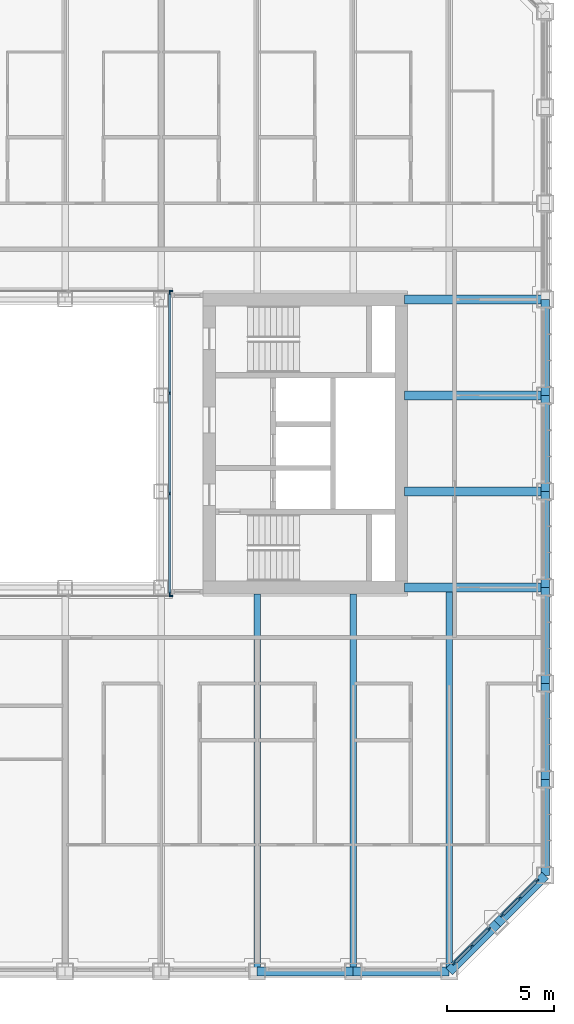
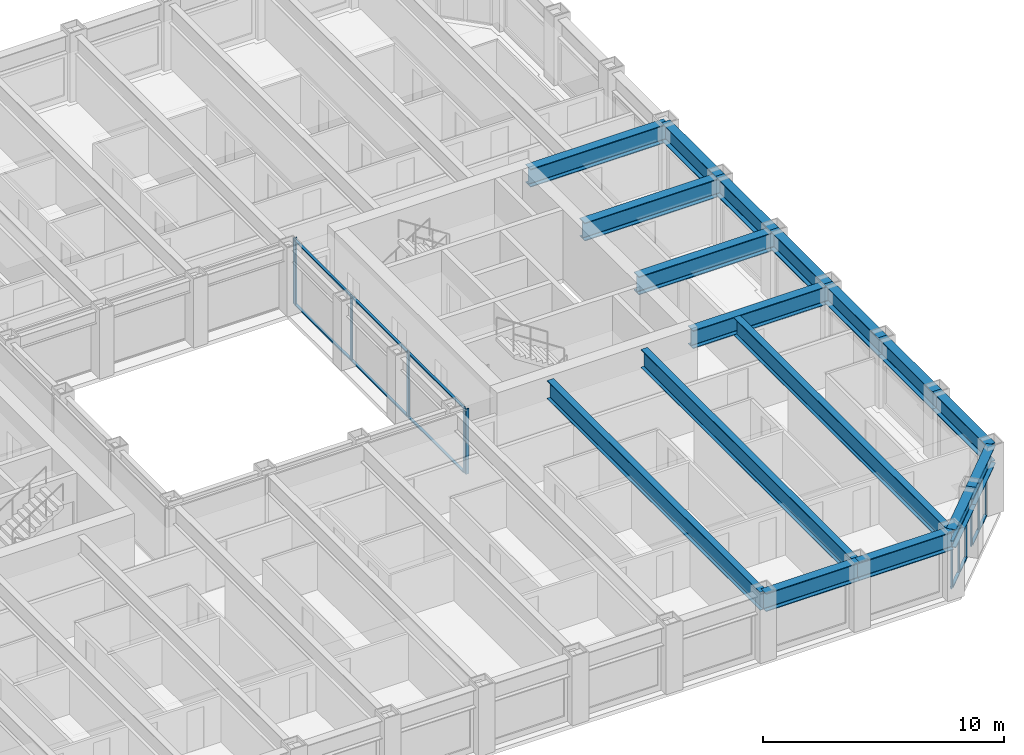
# One storey, part 5 of 21: 26 members, 17 beams, 5 elements without a shape of their own.
"""IFC4 building model written with IfcOpenShell, lengths in metres."""

from ifc_helpers import new_model, si_unit, direction, frame, origin, origin_2d, place, context, subcontext, project, spatial, rectangle, i_section, extrude, material, material_profile, profile_set, type_object, element, aggregate, save


model = new_model("IFC4")

# Units and contexts
model_context = context("Model", 3, precision=1e-05, world=origin(), true_north=direction((0.0, 1.0)))
body_context = subcontext(model_context, "Body", "Model", "MODEL_VIEW")
ifc_project = project(units=[si_unit("LENGTHUNIT", "METRE"), si_unit("AREAUNIT", "SQUARE_METRE"), si_unit("VOLUMEUNIT", "CUBIC_METRE"), si_unit("PLANEANGLEUNIT", "RADIAN"), si_unit("MASSUNIT", "GRAM", prefix="KILO")], contexts=[model_context])

# Site, building, storey
site_placement = place(None, origin())
site = spatial("IfcSite", under=ifc_project, at=site_placement, CompositionType="ELEMENT")
building_placement = place(site_placement, origin())
building = spatial("IfcBuilding", under=site, at=building_placement, Name="Msasa Ring Tower", CompositionType="ELEMENT")
storey_placement = place(building_placement, frame((0.0, 0.0, 75.5)))
storey = spatial("IfcBuildingStorey", under=building, at=storey_placement, Name="L19", CompositionType="ELEMENT", Elevation=75.5)

# Curtain wall, members
ifc_material_1 = material(Name="Aluminium curtain wall with clear glass", Category="aluminium")
curtain_wall_type_1 = type_object("IfcCurtainWallType", Name="CW-C CHAMFER CORNER CURTAIN WALL", PredefinedType="NOTDEFINED", material=ifc_material_1)
curtain_wall_1_placement = place(storey_placement, origin())
curtain_wall_1 = element("IfcCurtainWall", 1, at=curtain_wall_1_placement, inside=storey, type_object=curtain_wall_type_1, Name="Chamfer corner curtain wall SE L19", PredefinedType="NOTDEFINED")
ifc_material_2 = material(Name="Aluminium mullion", Category="aluminium")
ifc_material_profile_1 = material_profile(ifc_material_2, rectangle(XDim=0.06494140625, YDim=0.179931640625, at=origin_2d()), Name="AL 65x180")
ifc_profile_set_1 = profile_set([ifc_material_profile_1], Name="Aluminium mullion")
member_type_1 = type_object("IfcMemberType", Name="CW-C MULLION 65x180", PredefinedType="MULLION", material=ifc_profile_set_1)
member_1_placement = place(storey_placement, frame((20.48876953125, -24.369873046875, 0.0), z_axis=(0.0, 0.0, 1.0), x_axis=(-0.707106781187, 0.707106781187, 0.0)))
member_1 = element("IfcMember", 2, at=member_1_placement, type_object=member_type_1, Name="CW-C mullion 1", PredefinedType="MULLION", context=body_context, shape_type="SweptSolid", body=[
    extrude(rectangle(XDim=0.06494140625, YDim=0.179931640625, at=origin_2d()), origin(), (0.0, 0.0, 1.0), 2.37890625),
])
member_2_placement = place(storey_placement, frame((21.30419921875, -23.55419921875, 0.0), z_axis=(0.0, 0.0, 1.0), x_axis=(-0.707106781187, 0.707106781187, 0.0)))
member_2 = element("IfcMember", 3, at=member_2_placement, type_object=member_type_1, Name="CW-C mullion 2", PredefinedType="MULLION", context=body_context, shape_type="SweptSolid", body=[
    extrude(rectangle(XDim=0.06494140625, YDim=0.179931640625, at=origin_2d()), origin(), (0.0, 0.0, 1.0), 2.37890625),
])
member_3_placement = place(storey_placement, frame((22.119873046875, -22.73876953125, 0.0), z_axis=(0.0, 0.0, 1.0), x_axis=(-0.707106781187, 0.707106781187, 0.0)))
member_3 = element("IfcMember", 4, at=member_3_placement, type_object=member_type_1, Name="CW-C mullion 3", PredefinedType="MULLION", context=body_context, shape_type="SweptSolid", body=[
    extrude(rectangle(XDim=0.06494140625, YDim=0.179931640625, at=origin_2d()), origin(), (0.0, 0.0, 1.0), 2.37890625),
])

curtain_wall_2_placement = place(storey_placement, origin())
curtain_wall_2 = element("IfcCurtainWall", 5, at=curtain_wall_2_placement, inside=storey, type_object=curtain_wall_type_1, Name="Chamfer corner curtain wall SE L19", PredefinedType="NOTDEFINED")
member_4_placement = place(storey_placement, frame((22.73876953125, -22.119873046875, 0.0), z_axis=(0.0, 0.0, 1.0), x_axis=(-0.707106781187, 0.707106781187, 0.0)))
member_4 = element("IfcMember", 6, at=member_4_placement, type_object=member_type_1, Name="CW-C mullion 1", PredefinedType="MULLION", context=body_context, shape_type="SweptSolid", body=[
    extrude(rectangle(XDim=0.06494140625, YDim=0.179931640625, at=origin_2d()), origin(), (0.0, 0.0, 1.0), 2.37890625),
])
member_5_placement = place(storey_placement, frame((23.55419921875, -21.30419921875, 0.0), z_axis=(0.0, 0.0, 1.0), x_axis=(-0.707106781187, 0.707106781187, 0.0)))
member_5 = element("IfcMember", 7, at=member_5_placement, type_object=member_type_1, Name="CW-C mullion 2", PredefinedType="MULLION", context=body_context, shape_type="SweptSolid", body=[
    extrude(rectangle(XDim=0.06494140625, YDim=0.179931640625, at=origin_2d()), origin(), (0.0, 0.0, 1.0), 2.37890625),
])
member_6_placement = place(storey_placement, frame((24.369873046875, -20.48876953125, 0.0), z_axis=(0.0, 0.0, 1.0), x_axis=(-0.707106781187, 0.707106781187, 0.0)))
member_6 = element("IfcMember", 8, at=member_6_placement, type_object=member_type_1, Name="CW-C mullion 3", PredefinedType="MULLION", context=body_context, shape_type="SweptSolid", body=[
    extrude(rectangle(XDim=0.06494140625, YDim=0.179931640625, at=origin_2d()), origin(), (0.0, 0.0, 1.0), 2.37890625),
])

# Member
ifc_material_3 = material(Name="Aluminium transom", Category="aluminium")
ifc_material_profile_2 = material_profile(ifc_material_3, rectangle(XDim=0.139892578125, YDim=0.06494140625, at=origin_2d()), Name="AL 65x140")
ifc_profile_set_2 = profile_set([ifc_material_profile_2], Name="Aluminium transom")
member_type_2 = type_object("IfcMemberType", Name="CW-C TRANSOM 65x140", PredefinedType="USERDEFINED", material=ifc_profile_set_2)
member_7_placement = place(storey_placement, frame((20.51171875, -24.346923828125, 0.032470703125), z_axis=(0.707106781187, 0.707106781187, 0.0), x_axis=(-0.707106781187, 0.707106781187, 0.0)))
member_7 = element("IfcMember", 9, at=member_7_placement, type_object=member_type_2, Name="CW-C transom 1.1", ObjectType="TRANSOM", PredefinedType="USERDEFINED", context=body_context, shape_type="SweptSolid", body=[
    extrude(rectangle(XDim=0.139892578125, YDim=0.06494140625, at=origin_2d()), origin(), (0.0, 0.0, 1.0), 1.08837890625),
])

member_8_placement = place(storey_placement, frame((20.51171875, -24.346923828125, 2.346435546875), z_axis=(0.707106781187, 0.707106781187, 0.0), x_axis=(-0.707106781187, 0.707106781187, 0.0)))
member_8 = element("IfcMember", 10, at=member_8_placement, type_object=member_type_2, Name="CW-C transom 1.2", ObjectType="TRANSOM", PredefinedType="USERDEFINED", context=body_context, shape_type="SweptSolid", body=[
    extrude(rectangle(XDim=0.139892578125, YDim=0.06494140625, at=origin_2d()), origin(), (0.0, 0.0, 1.0), 1.08837890625),
])

member_9_placement = place(storey_placement, frame((21.327392578125, -23.53125, 0.032470703125), z_axis=(0.707106781187, 0.707106781187, 0.0), x_axis=(-0.707106781187, 0.707106781187, 0.0)))
member_9 = element("IfcMember", 11, at=member_9_placement, type_object=member_type_2, Name="CW-C transom 2.1", ObjectType="TRANSOM", PredefinedType="USERDEFINED", context=body_context, shape_type="SweptSolid", body=[
    extrude(rectangle(XDim=0.139892578125, YDim=0.06494140625, at=origin_2d()), origin(), (0.0, 0.0, 1.0), 1.08837890625),
])

member_10_placement = place(storey_placement, frame((21.327392578125, -23.53125, 2.346435546875), z_axis=(0.707106781187, 0.707106781187, 0.0), x_axis=(-0.707106781187, 0.707106781187, 0.0)))
member_10 = element("IfcMember", 12, at=member_10_placement, type_object=member_type_2, Name="CW-C transom 2.2", ObjectType="TRANSOM", PredefinedType="USERDEFINED", context=body_context, shape_type="SweptSolid", body=[
    extrude(rectangle(XDim=0.139892578125, YDim=0.06494140625, at=origin_2d()), origin(), (0.0, 0.0, 1.0), 1.08837890625),
])

aggregate(curtain_wall_1, [member_1, member_2, member_3, member_7, member_8, member_9, member_10])

member_11_placement = place(storey_placement, frame((22.76171875, -22.096923828125, 0.032470703125), z_axis=(0.707106781187, 0.707106781187, 0.0), x_axis=(-0.707106781187, 0.707106781187, 0.0)))
member_11 = element("IfcMember", 13, at=member_11_placement, type_object=member_type_2, Name="CW-C transom 1.1", ObjectType="TRANSOM", PredefinedType="USERDEFINED", context=body_context, shape_type="SweptSolid", body=[
    extrude(rectangle(XDim=0.139892578125, YDim=0.06494140625, at=origin_2d()), origin(), (0.0, 0.0, 1.0), 1.08837890625),
])

member_12_placement = place(storey_placement, frame((22.76171875, -22.096923828125, 2.346435546875), z_axis=(0.707106781187, 0.707106781187, 0.0), x_axis=(-0.707106781187, 0.707106781187, 0.0)))
member_12 = element("IfcMember", 14, at=member_12_placement, type_object=member_type_2, Name="CW-C transom 1.2", ObjectType="TRANSOM", PredefinedType="USERDEFINED", context=body_context, shape_type="SweptSolid", body=[
    extrude(rectangle(XDim=0.139892578125, YDim=0.06494140625, at=origin_2d()), origin(), (0.0, 0.0, 1.0), 1.08837890625),
])

member_13_placement = place(storey_placement, frame((23.577392578125, -21.28125, 0.032470703125), z_axis=(0.707106781187, 0.707106781187, 0.0), x_axis=(-0.707106781187, 0.707106781187, 0.0)))
member_13 = element("IfcMember", 15, at=member_13_placement, type_object=member_type_2, Name="CW-C transom 2.1", ObjectType="TRANSOM", PredefinedType="USERDEFINED", context=body_context, shape_type="SweptSolid", body=[
    extrude(rectangle(XDim=0.139892578125, YDim=0.06494140625, at=origin_2d()), origin(), (0.0, 0.0, 1.0), 1.08837890625),
])

member_14_placement = place(storey_placement, frame((23.577392578125, -21.28125, 2.346435546875), z_axis=(0.707106781187, 0.707106781187, 0.0), x_axis=(-0.707106781187, 0.707106781187, 0.0)))
member_14 = element("IfcMember", 16, at=member_14_placement, type_object=member_type_2, Name="CW-C transom 2.2", ObjectType="TRANSOM", PredefinedType="USERDEFINED", context=body_context, shape_type="SweptSolid", body=[
    extrude(rectangle(XDim=0.139892578125, YDim=0.06494140625, at=origin_2d()), origin(), (0.0, 0.0, 1.0), 1.08837890625),
])

aggregate(curtain_wall_2, [member_4, member_5, member_6, member_11, member_12, member_13, member_14])

# Curtain wall, member
ifc_material_4 = material(Name="Aluminium curtain wall with clear glass", Category="aluminium")
curtain_wall_type_2 = type_object("IfcCurtainWallType", Name="CW-W LIGHT WELL CURTAIN WALL", PredefinedType="NOTDEFINED", material=ifc_material_4)
curtain_wall_3_placement = place(storey_placement, origin())
curtain_wall_3 = element("IfcCurtainWall", 17, at=curtain_wall_3_placement, inside=storey, type_object=curtain_wall_type_2, Name="Light well curtain wall N L19", PredefinedType="NOTDEFINED")
ifc_material_5 = material(Name="Aluminium mullion", Category="aluminium")
ifc_material_profile_3 = material_profile(ifc_material_5, rectangle(XDim=0.06005859375, YDim=0.159912109375, at=origin_2d()), Name="AL 60x160")
ifc_profile_set_3 = profile_set([ifc_material_profile_3], Name="Aluminium mullion")
member_type_3 = type_object("IfcMemberType", Name="CW-W MULLION 60x160", PredefinedType="MULLION", material=ifc_profile_set_3)
member_15_placement = place(storey_placement, frame((7.199951171875, 7.14990234375, 0.0), z_axis=(0.0, 0.0, 1.0), x_axis=(0.0, 1.0, 0.0)))
member_15 = element("IfcMember", 18, at=member_15_placement, type_object=member_type_3, Name="CW-W mullion 4", PredefinedType="MULLION", context=body_context, shape_type="SweptSolid", body=[
    extrude(rectangle(XDim=0.06005859375, YDim=0.159912109375, at=origin_2d()), origin(), (0.0, 0.0, 1.0), 3.300048828125),
])
aggregate(curtain_wall_3, [member_15])

curtain_wall_4_placement = place(storey_placement, origin())
curtain_wall_4 = element("IfcCurtainWall", 19, at=curtain_wall_4_placement, inside=storey, type_object=curtain_wall_type_2, Name="Light well curtain wall S L19", PredefinedType="NOTDEFINED")
member_16_placement = place(storey_placement, frame((7.199951171875, -7.14990234375, 0.0), z_axis=(0.0, 0.0, 1.0), x_axis=(0.0, 1.0, 0.0)))
member_16 = element("IfcMember", 20, at=member_16_placement, type_object=member_type_3, Name="CW-W mullion 4", PredefinedType="MULLION", context=body_context, shape_type="SweptSolid", body=[
    extrude(rectangle(XDim=0.06005859375, YDim=0.159912109375, at=origin_2d()), origin(), (0.0, 0.0, 1.0), 3.300048828125),
])
aggregate(curtain_wall_4, [member_16])

# Curtain wall, members
curtain_wall_5_placement = place(storey_placement, origin())
curtain_wall_5 = element("IfcCurtainWall", 21, at=curtain_wall_5_placement, inside=storey, type_object=curtain_wall_type_2, Name="Light well curtain wall E L19", PredefinedType="NOTDEFINED")
member_17_placement = place(storey_placement, frame((7.14990234375, -7.0400390625, 0.0), z_axis=(0.0, 0.0, 1.0), x_axis=(-1.0, 0.0, 0.0)))
member_17 = element("IfcMember", 22, at=member_17_placement, type_object=member_type_3, Name="CW-W mullion 1", PredefinedType="MULLION", context=body_context, shape_type="SweptSolid", body=[
    extrude(rectangle(XDim=0.06005859375, YDim=0.159912109375, at=origin_2d()), origin(), (0.0, 0.0, 1.0), 3.300048828125),
])
member_18_placement = place(storey_placement, frame((7.14990234375, -2.356689453125, 0.0), z_axis=(0.0, 0.0, 1.0), x_axis=(-1.0, 0.0, 0.0)))
member_18 = element("IfcMember", 23, at=member_18_placement, type_object=member_type_3, Name="CW-W mullion 2", PredefinedType="MULLION", context=body_context, shape_type="SweptSolid", body=[
    extrude(rectangle(XDim=0.06005859375, YDim=0.159912109375, at=origin_2d()), origin(), (0.0, 0.0, 1.0), 3.300048828125),
])
member_19_placement = place(storey_placement, frame((7.14990234375, 2.356689453125, 0.0), z_axis=(0.0, 0.0, 1.0), x_axis=(-1.0, 0.0, 0.0)))
member_19 = element("IfcMember", 24, at=member_19_placement, type_object=member_type_3, Name="CW-W mullion 3", PredefinedType="MULLION", context=body_context, shape_type="SweptSolid", body=[
    extrude(rectangle(XDim=0.06005859375, YDim=0.159912109375, at=origin_2d()), origin(), (0.0, 0.0, 1.0), 3.300048828125),
])
member_20_placement = place(storey_placement, frame((7.14990234375, 7.0400390625, 0.0), z_axis=(0.0, 0.0, 1.0), x_axis=(-1.0, 0.0, 0.0)))
member_20 = element("IfcMember", 25, at=member_20_placement, type_object=member_type_3, Name="CW-W mullion 4", PredefinedType="MULLION", context=body_context, shape_type="SweptSolid", body=[
    extrude(rectangle(XDim=0.06005859375, YDim=0.159912109375, at=origin_2d()), origin(), (0.0, 0.0, 1.0), 3.300048828125),
])
ifc_material_6 = material(Name="Aluminium transom", Category="aluminium")
ifc_material_profile_4 = material_profile(ifc_material_6, rectangle(XDim=0.1201171875, YDim=0.06005859375, at=origin_2d()), Name="AL 60x120")
ifc_profile_set_4 = profile_set([ifc_material_profile_4], Name="Aluminium transom")
member_type_4 = type_object("IfcMemberType", Name="CW-W TRANSOM 60x120", PredefinedType="USERDEFINED", material=ifc_profile_set_4)
member_21_placement = place(storey_placement, frame((7.14990234375, -7.010009765625, 0.030029296875), z_axis=(0.0, 1.0, 0.0), x_axis=(-1.0, 0.0, 0.0)))
member_21 = element("IfcMember", 26, at=member_21_placement, type_object=member_type_4, Name="CW-W transom 1.1", ObjectType="TRANSOM", PredefinedType="USERDEFINED", context=body_context, shape_type="SweptSolid", body=[
    extrude(rectangle(XDim=0.1201171875, YDim=0.06005859375, at=origin_2d()), origin(), (0.0, 0.0, 1.0), 4.623291015625),
])
member_22_placement = place(storey_placement, frame((7.14990234375, -7.010009765625, 3.27001953125), z_axis=(0.0, 1.0, 0.0), x_axis=(-1.0, 0.0, 0.0)))
member_22 = element("IfcMember", 27, at=member_22_placement, type_object=member_type_4, Name="CW-W transom 1.2", ObjectType="TRANSOM", PredefinedType="USERDEFINED", context=body_context, shape_type="SweptSolid", body=[
    extrude(rectangle(XDim=0.1201171875, YDim=0.06005859375, at=origin_2d()), origin(), (0.0, 0.0, 1.0), 4.623291015625),
])
member_23_placement = place(storey_placement, frame((7.14990234375, -2.32666015625, 0.030029296875), z_axis=(0.0, 1.0, 0.0), x_axis=(-1.0, 0.0, 0.0)))
member_23 = element("IfcMember", 28, at=member_23_placement, type_object=member_type_4, Name="CW-W transom 2.1", ObjectType="TRANSOM", PredefinedType="USERDEFINED", context=body_context, shape_type="SweptSolid", body=[
    extrude(rectangle(XDim=0.1201171875, YDim=0.06005859375, at=origin_2d()), origin(), (0.0, 0.0, 1.0), 4.6533203125),
])
member_24_placement = place(storey_placement, frame((7.14990234375, -2.32666015625, 3.27001953125), z_axis=(0.0, 1.0, 0.0), x_axis=(-1.0, 0.0, 0.0)))
member_24 = element("IfcMember", 29, at=member_24_placement, type_object=member_type_4, Name="CW-W transom 2.2", ObjectType="TRANSOM", PredefinedType="USERDEFINED", context=body_context, shape_type="SweptSolid", body=[
    extrude(rectangle(XDim=0.1201171875, YDim=0.06005859375, at=origin_2d()), origin(), (0.0, 0.0, 1.0), 4.6533203125),
])
member_25_placement = place(storey_placement, frame((7.14990234375, 2.38671875, 0.030029296875), z_axis=(0.0, 1.0, 0.0), x_axis=(-1.0, 0.0, 0.0)))
member_25 = element("IfcMember", 30, at=member_25_placement, type_object=member_type_4, Name="CW-W transom 3.1", ObjectType="TRANSOM", PredefinedType="USERDEFINED", context=body_context, shape_type="SweptSolid", body=[
    extrude(rectangle(XDim=0.1201171875, YDim=0.06005859375, at=origin_2d()), origin(), (0.0, 0.0, 1.0), 4.623291015625),
])
member_26_placement = place(storey_placement, frame((7.14990234375, 2.38671875, 3.27001953125), z_axis=(0.0, 1.0, 0.0), x_axis=(-1.0, 0.0, 0.0)))
member_26 = element("IfcMember", 31, at=member_26_placement, type_object=member_type_4, Name="CW-W transom 3.2", ObjectType="TRANSOM", PredefinedType="USERDEFINED", context=body_context, shape_type="SweptSolid", body=[
    extrude(rectangle(XDim=0.1201171875, YDim=0.06005859375, at=origin_2d()), origin(), (0.0, 0.0, 1.0), 4.623291015625),
])
aggregate(curtain_wall_5, [member_17, member_18, member_19, member_20, member_21, member_22, member_23, member_24, member_25, member_26])

# Beams
ifc_material_7 = material(Name="Steel S355", Category="steel")
ifc_material_profile_5 = material_profile(ifc_material_7, i_section(OverallWidth=0.42041015625, OverallDepth=0.9208984375, WebThickness=0.021484375, FlangeThickness=0.03662109375, FilletRadius=0.024169921875, at=origin_2d()), Name="UB 914x419x388")
ifc_profile_set_5 = profile_set([ifc_material_profile_5], Name="Steel S355")
beam_type_1 = type_object("IfcBeamType", Name="FB2 UB 914x419x388", PredefinedType="BEAM", material=ifc_profile_set_5)
for number, where, z_axis, x_axis, name in (
    (32, (24.75, -2.25, 2.839599609375), (-1.0, 0.0, 0.0), (0.0, -1.0, 0.0), "Floor beam E -2.25 under L20"),
    (33, (24.75, 2.25, 2.839599609375), (-1.0, 0.0, 0.0), (0.0, -1.0, 0.0), "Floor beam E +2.25 under L20"),
):
    element("IfcBeam", number, at=place(storey_placement, frame(where, z_axis=z_axis, x_axis=x_axis)), inside=storey, type_object=beam_type_1, Name=name, PredefinedType="BEAM", context=body_context, shape_type="SweptSolid", body=[
        extrude(i_section(OverallWidth=0.42041015625, OverallDepth=0.9208984375, WebThickness=0.021484375, FlangeThickness=0.03662109375, FilletRadius=0.024169921875, at=origin_2d()), origin(), (0.0, 0.0, 1.0), 6.60009765625),
    ])
ifc_material_8 = material(Name="Steel S355", Category="steel")
ifc_material_profile_6 = material_profile(ifc_material_8, i_section(OverallWidth=0.3076171875, OverallDepth=0.926513671875, WebThickness=0.01953125, FlangeThickness=0.031982421875, FilletRadius=0.01904296875, at=origin_2d()), Name="UB 914x305x289")
ifc_profile_set_6 = profile_set([ifc_material_profile_6], Name="Steel S355")
beam_type_2 = type_object("IfcBeamType", Name="FB3 UB 914x305x289", PredefinedType="BEAM", material=ifc_profile_set_6)
for number, where, z_axis, x_axis, name in (
    (34, (11.25, -24.75, 2.836669921875), (0.0, 1.0, 0.0), (-1.0, 0.0, 0.0), "Floor beam S+11.25 under L20"),
    (35, (15.75, -24.75, 2.836669921875), (0.0, 1.0, 0.0), (-1.0, 0.0, 0.0), "Floor beam S+15.75 under L20"),
):
    element("IfcBeam", number, at=place(storey_placement, frame(where, z_axis=z_axis, x_axis=x_axis)), inside=storey, type_object=beam_type_2, Name=name, PredefinedType="BEAM", context=body_context, shape_type="SweptSolid", body=[
        extrude(i_section(OverallWidth=0.3076171875, OverallDepth=0.926513671875, WebThickness=0.01953125, FlangeThickness=0.031982421875, FilletRadius=0.01904296875, at=origin_2d()), origin(), (0.0, 0.0, 1.0), 17.699951171875),
    ])
beam_placement = place(storey_placement, frame((20.25, -24.75, 2.836669921875), z_axis=(0.0, 1.0, 0.0), x_axis=(-1.0, 0.0, 0.0)))
element("IfcBeam", 36, at=beam_placement, inside=storey, type_object=beam_type_2, Name="Floor beam S+20.25 under L20", PredefinedType="BEAM", context=body_context, shape_type="SweptSolid", body=[
    extrude(i_section(OverallWidth=0.3076171875, OverallDepth=0.926513671875, WebThickness=0.01953125, FlangeThickness=0.031982421875, FilletRadius=0.01904296875, at=origin_2d()), origin(), (0.0, 0.0, 1.0), 17.789794921875),
])
ifc_material_9 = material(Name="Steel S355", Category="steel")
ifc_material_profile_7 = material_profile(ifc_material_9, i_section(OverallWidth=0.42041015625, OverallDepth=0.9208984375, WebThickness=0.021484375, FlangeThickness=0.03662109375, FilletRadius=0.024169921875, at=origin_2d()), Name="UB 914x419x388")
ifc_profile_set_7 = profile_set([ifc_material_profile_7], Name="Steel S355")
beam_type_3 = type_object("IfcBeamType", Name="GB1 UB 914x419x388", PredefinedType="BEAM", material=ifc_profile_set_7)
for number, where, z_axis, x_axis, name in (
    (37, (18.14990234375, 6.75, 2.839599609375), (1.0, 0.0, 0.0), (0.0, 1.0, 0.0), "Girder E +6.75 under L20"),
    (38, (18.14990234375, -6.75, 2.839599609375), (1.0, 0.0, 0.0), (0.0, 1.0, 0.0), "Girder E -6.75 under L20"),
):
    element("IfcBeam", number, at=place(storey_placement, frame(where, z_axis=z_axis, x_axis=x_axis)), inside=storey, type_object=beam_type_3, Name=name, PredefinedType="BEAM", context=body_context, shape_type="SweptSolid", body=[
        extrude(i_section(OverallWidth=0.42041015625, OverallDepth=0.9208984375, WebThickness=0.021484375, FlangeThickness=0.03662109375, FilletRadius=0.024169921875, at=origin_2d()), origin(), (0.0, 0.0, 1.0), 6.60009765625),
    ])
ifc_material_10 = material(Name="Steel S355", Category="steel")
ifc_material_profile_8 = material_profile(ifc_material_10, i_section(OverallWidth=0.42041015625, OverallDepth=0.9208984375, WebThickness=0.021484375, FlangeThickness=0.03662109375, FilletRadius=0.024169921875, at=origin_2d()), Name="UB 914x419x388")
ifc_profile_set_8 = profile_set([ifc_material_profile_8], Name="Steel S355")
beam_type_4 = type_object("IfcBeamType", Name="SB1 UB 914x419x388", PredefinedType="SPANDREL", material=ifc_profile_set_8)
for number, where, z_axis, x_axis, name in (
    (39, (11.25, -24.75, 2.839599609375), (1.0, 0.0, 0.0), (0.0, 1.0, 0.0), "Spandrel S+11.25 to S+15.75 under L20"),
    (40, (15.75, -24.75, 2.839599609375), (1.0, 0.0, 0.0), (0.0, 1.0, 0.0), "Spandrel S+15.75 to S+20.25 under L20"),
):
    element("IfcBeam", number, at=place(storey_placement, frame(where, z_axis=z_axis, x_axis=x_axis)), inside=storey, type_object=beam_type_4, Name=name, PredefinedType="SPANDREL", context=body_context, shape_type="SweptSolid", body=[
        extrude(i_section(OverallWidth=0.42041015625, OverallDepth=0.9208984375, WebThickness=0.021484375, FlangeThickness=0.03662109375, FilletRadius=0.024169921875, at=origin_2d()), origin(), (0.0, 0.0, 1.0), 4.5),
    ])
for number, where, z_axis, x_axis, name in (
    (41, (20.25, -24.75, 2.839599609375), (0.707106781187, 0.707106781187, 0.0), (-0.707106781187, 0.707106781187, 0.0), "Spandrel S+20.25 to SE under L20"),
    (42, (22.5, -22.5, 2.839599609375), (0.707106781187, 0.707106781187, 0.0), (-0.707106781187, 0.707106781187, 0.0), "Spandrel SE to E-20.25 under L20"),
):
    element("IfcBeam", number, at=place(storey_placement, frame(where, z_axis=z_axis, x_axis=x_axis)), inside=storey, type_object=beam_type_4, Name=name, PredefinedType="SPANDREL", context=body_context, shape_type="SweptSolid", body=[
        extrude(i_section(OverallWidth=0.42041015625, OverallDepth=0.9208984375, WebThickness=0.021484375, FlangeThickness=0.03662109375, FilletRadius=0.024169921875, at=origin_2d()), origin(), (0.0, 0.0, 1.0), 3.181884765625),
    ])
for number, where, z_axis, x_axis, name in (
    (43, (24.75, -20.25, 2.839599609375), (0.0, 1.0, 0.0), (-1.0, 0.0, 0.0), "Spandrel E-20.25 to E-15.75 under L20"),
    (44, (24.75, -15.75, 2.839599609375), (0.0, 1.0, 0.0), (-1.0, 0.0, 0.0), "Spandrel E-15.75 to E-11.25 under L20"),
    (45, (24.75, -11.25, 2.839599609375), (0.0, 1.0, 0.0), (-1.0, 0.0, 0.0), "Spandrel E-11.25 to E-6.75 under L20"),
    (46, (24.75, -6.75, 2.839599609375), (0.0, 1.0, 0.0), (-1.0, 0.0, 0.0), "Spandrel E-6.75 to E-2.25 under L20"),
    (47, (24.75, -2.25, 2.839599609375), (0.0, 1.0, 0.0), (-1.0, 0.0, 0.0), "Spandrel E-2.25 to E+2.25 under L20"),
    (48, (24.75, 2.25, 2.839599609375), (0.0, 1.0, 0.0), (-1.0, 0.0, 0.0), "Spandrel E+2.25 to E+6.75 under L20"),
):
    element("IfcBeam", number, at=place(storey_placement, frame(where, z_axis=z_axis, x_axis=x_axis)), inside=storey, type_object=beam_type_4, Name=name, PredefinedType="SPANDREL", context=body_context, shape_type="SweptSolid", body=[
        extrude(i_section(OverallWidth=0.42041015625, OverallDepth=0.9208984375, WebThickness=0.021484375, FlangeThickness=0.03662109375, FilletRadius=0.024169921875, at=origin_2d()), origin(), (0.0, 0.0, 1.0), 4.5),
    ])

save(model, "model.ifc")
